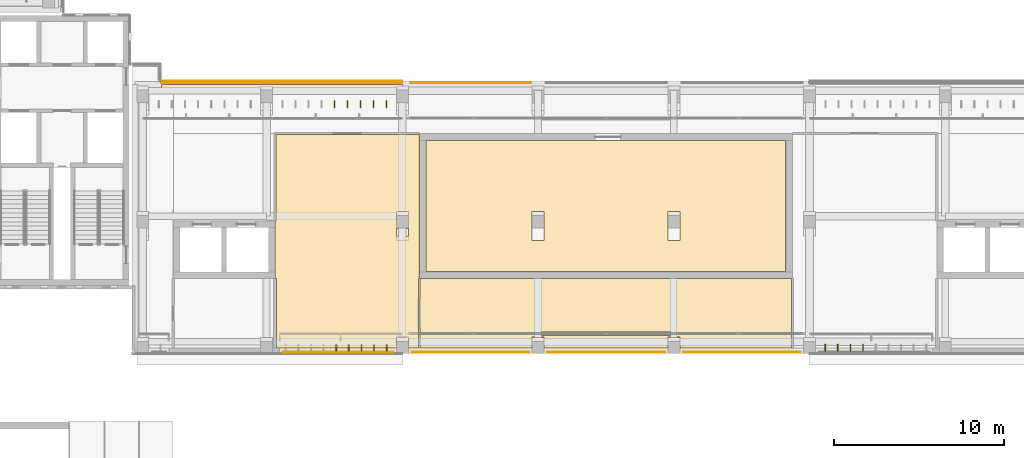
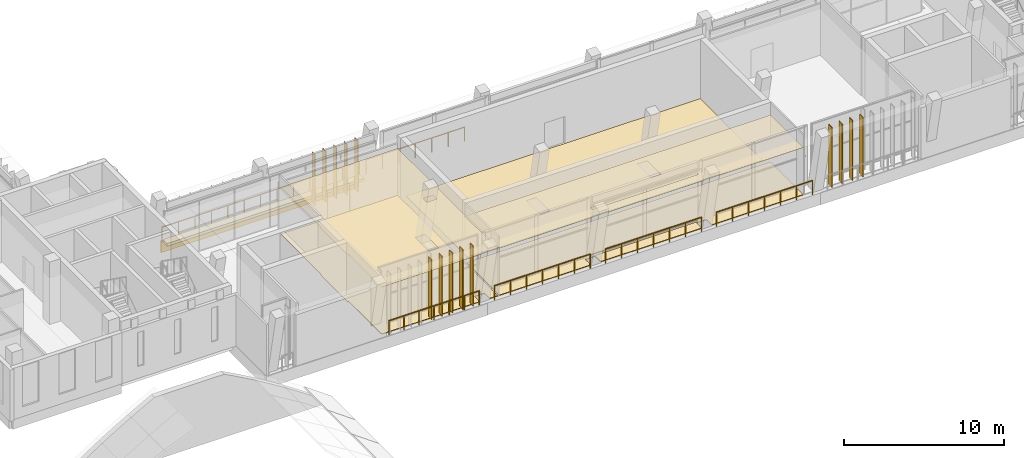
# One storey, part 55 of 74: 14 shading devices, 7 coverings, 6 railings.
"""IFC4 building model written with IfcOpenShell, lengths in metres."""

from ifc_helpers import new_model, si_unit, direction, frame, frame_2d, origin, origin_2d, place, context, subcontext, project, spatial, polyline, rectangle, circle, outline, extrude, material, layer, layer_set, type_object, element, save


model = new_model("IFC4")

# Units and contexts
model_context = context("Model", 3, precision=1e-05, world=origin(), true_north=direction((0.0, 1.0)))
body_context = subcontext(model_context, "Body", "Model", "MODEL_VIEW")
ifc_project = project(units=[si_unit("LENGTHUNIT", "METRE"), si_unit("AREAUNIT", "SQUARE_METRE"), si_unit("VOLUMEUNIT", "CUBIC_METRE"), si_unit("PLANEANGLEUNIT", "RADIAN"), si_unit("MASSUNIT", "GRAM", prefix="KILO")], contexts=[model_context])

# Site, building, storey
site_placement = place(None, origin())
site = spatial("IfcSite", under=ifc_project, at=site_placement, CompositionType="ELEMENT")
building_placement = place(site_placement, origin())
building = spatial("IfcBuilding", under=site, at=building_placement, Name="Lantern Court Media Centre", CompositionType="ELEMENT")
storey_placement = place(building_placement, frame((0.0, 0.0, 19.199951171875)))
storey = spatial("IfcBuildingStorey", under=building, at=storey_placement, Name="L04", CompositionType="ELEMENT", Elevation=19.199951171875)

# Coverings
ifc_material_1 = material(Name="Carpet")
ifc_layer_1 = layer(ifc_material_1, 0.050048828125)
ifc_layer_set_1 = layer_set([ifc_layer_1], Name="Carpet")
covering_type_1 = type_object("IfcCoveringType", Name="Carpet floor finish", PredefinedType="FLOORING", material=ifc_layer_set_1)
covering_1_placement = place(storey_placement, origin())
element("IfcCovering", 1, at=covering_1_placement, inside=storey, type_object=covering_type_1, Name="Library Stacks floor finish", PredefinedType="FLOORING", context=body_context, shape_type="SweptSolid", body=[
    extrude(outline(polyline([(41.405029296875, 56.544921875), (62.594970703125, 56.544921875), (62.594970703125, 48.804931640625), (41.405029296875, 48.804931640625), (41.405029296875, 56.544921875)]), holes=[polyline([(56.35009765625, 50.64501953125), (56.354736328125, 52.351806640625), (55.648193359375, 52.354736328125), (55.645263671875, 50.648193359375), (56.35009765625, 50.64501953125)]), polyline([(48.35009765625, 50.64501953125), (48.354736328125, 52.351806640625), (47.648193359375, 52.354736328125), (47.645263671875, 50.648193359375), (48.35009765625, 50.64501953125)])]), origin(), (0.0, 0.0, 1.0), 0.050048828125),
])
covering_2_placement = place(storey_placement, origin())
element("IfcCovering", 2, at=covering_2_placement, inside=storey, type_object=covering_type_1, Name="Reading Carrels floor finish", PredefinedType="FLOORING", context=body_context, shape_type="SweptSolid", body=[
    extrude(outline(polyline([(41.054931640625, 44.300048828125), (41.054931640625, 48.39501953125), (62.945068359375, 48.39501953125), (62.945068359375, 44.300048828125), (56.35498046875, 44.300048828125), (56.35009765625, 44.955078125), (55.646484375, 44.95361328125), (55.64501953125, 44.300048828125), (48.35498046875, 44.300048828125), (48.35009765625, 44.955078125), (47.646484375, 44.95361328125), (47.64501953125, 44.300048828125), (41.054931640625, 44.300048828125)]), holes=[polyline([(48.195068359375, 45.050048828125), (55.800048828125, 45.044921875), (55.804931640625, 45.25), (48.199951171875, 45.2548828125), (48.195068359375, 45.050048828125)])]), origin(), (0.0, 0.0, 1.0), 0.050048828125),
])
covering_3_placement = place(storey_placement, origin())
element("IfcCovering", 3, at=covering_3_placement, inside=storey, type_object=covering_type_1, Name="Digital Media Lab floor finish", PredefinedType="FLOORING", context=body_context, shape_type="SweptSolid", body=[
    extrude(outline(polyline([(39.64501953125, 44.300048828125), (32.5849609375, 44.304931640625), (32.5849609375, 48.39990234375), (32.5048828125, 48.405029296875), (32.5048828125, 51.794921875), (32.5673828125, 51.800048828125), (32.5673828125, 56.882568359375), (40.9951171875, 56.882568359375), (40.9951171875, 48.405029296875), (40.945068359375, 48.39990234375), (40.945068359375, 44.300048828125), (40.35498046875, 44.300048828125), (40.35009765625, 44.955078125), (39.646484375, 44.95361328125), (39.64501953125, 44.300048828125)]), holes=[polyline([(40.35009765625, 50.64501953125), (40.354736328125, 52.351806640625), (39.648193359375, 52.354736328125), (39.645263671875, 50.648193359375), (40.35009765625, 50.64501953125)])]), origin(), (0.0, 0.0, 1.0), 0.050048828125),
])

# Railings
ifc_material_2 = material(Name="Powder-coated steel", Category="steel")
railing_type_1 = type_object("IfcRailingType", Name="Floor edge guard 1100", PredefinedType="GUARDRAIL", material=ifc_material_2)
railing_1_placement = place(storey_placement, frame((39.470947265625, 44.06005859375, 0.0)))
element("IfcRailing", 4, at=railing_1_placement, inside=storey, type_object=railing_type_1, Name="L04 edge guard 125", PredefinedType="GUARDRAIL", context=body_context, shape_type="SweptSolid", body=[
    extrude(circle(Radius=0.02392578125, at=origin_2d()), frame((0.0, 0.0, 1.076171875), z_axis=(-1.0, 0.0, 0.0), x_axis=(0.0, -1.0, 0.0)), (0.0, 0.0, 1.0), 6.498046875),
    extrude(circle(Radius=0.02099609375, at=origin_2d()), origin(), (0.0, 0.0, 1.0), 1.052001953125),
    extrude(circle(Radius=0.02099609375, at=origin_2d()), frame((-1.0830078125, 0.0, 0.0)), (0.0, 0.0, 1.0), 1.052001953125),
    extrude(circle(Radius=0.02099609375, at=origin_2d()), frame((-2.166015625, 0.0, 0.0)), (0.0, 0.0, 1.0), 1.052001953125),
    extrude(circle(Radius=0.02099609375, at=origin_2d()), frame((-3.2490234375, 0.0, 0.0)), (0.0, 0.0, 1.0), 1.052001953125),
    extrude(circle(Radius=0.02099609375, at=origin_2d()), frame((-4.33203125, 0.0, 0.0)), (0.0, 0.0, 1.0), 1.052001953125),
    extrude(circle(Radius=0.02099609375, at=origin_2d()), frame((-5.4150390625, 0.0, 0.0)), (0.0, 0.0, 1.0), 1.052001953125),
    extrude(circle(Radius=0.02099609375, at=origin_2d()), frame((-6.498046875, 0.0, 0.0)), (0.0, 0.0, 1.0), 1.052001953125),
])
railing_2_placement = place(storey_placement, frame((40.485107421875, 59.93994140625, 0.0)))
element("IfcRailing", 5, at=railing_2_placement, inside=storey, type_object=railing_type_1, Name="L04 edge guard 127", PredefinedType="GUARDRAIL", context=body_context, shape_type="SweptSolid", body=[
    extrude(circle(Radius=0.02392578125, at=origin_2d()), frame((0.0, 0.0, 1.076171875), z_axis=(1.0, 0.0, 0.0), x_axis=(0.0, 1.0, 0.0)), (0.0, 0.0, 1.0), 7.097900390625),
    extrude(circle(Radius=0.02099609375, at=origin_2d()), origin(), (0.0, 0.0, 1.0), 1.052001953125),
    extrude(circle(Radius=0.02099609375, at=origin_2d()), frame((1.18310546875, 0.0, 0.0)), (0.0, 0.0, 1.0), 1.052001953125),
    extrude(circle(Radius=0.02099609375, at=origin_2d()), frame((2.365966796875, 0.0, 0.0)), (0.0, 0.0, 1.0), 1.052001953125),
    extrude(circle(Radius=0.02099609375, at=origin_2d()), frame((3.548828125, 0.0, 0.0)), (0.0, 0.0, 1.0), 1.052001953125),
    extrude(circle(Radius=0.02099609375, at=origin_2d()), frame((4.73193359375, 0.0, 0.0)), (0.0, 0.0, 1.0), 1.052001953125),
    extrude(circle(Radius=0.02099609375, at=origin_2d()), frame((5.9150390625, 0.0, 0.0)), (0.0, 0.0, 1.0), 1.052001953125),
    extrude(circle(Radius=0.02099609375, at=origin_2d()), frame((7.097900390625, 0.0, 0.0)), (0.0, 0.0, 1.0), 1.052001953125),
])
for number, where, name in (
    (6, (47.468994140625, 44.06005859375, 0.0), "L04 edge guard 128"),
    (7, (55.467041015625, 44.06005859375, 0.0), "L04 edge guard 131"),
):
    element("IfcRailing", number, at=place(storey_placement, frame(where)), inside=storey, type_object=railing_type_1, Name=name, PredefinedType="GUARDRAIL", context=body_context, shape_type="SweptSolid", body=[
        extrude(circle(Radius=0.02392578125, at=origin_2d()), frame((0.0, 0.0, 1.076171875), z_axis=(-1.0, 0.0, 0.0), x_axis=(0.0, -1.0, 0.0)), (0.0, 0.0, 1.0), 6.89794921875),
        extrude(circle(Radius=0.02099609375, at=origin_2d()), origin(), (0.0, 0.0, 1.0), 1.052001953125),
        extrude(circle(Radius=0.02099609375, at=origin_2d()), frame((-1.149658203125, 0.0, 0.0)), (0.0, 0.0, 1.0), 1.052001953125),
        extrude(circle(Radius=0.02099609375, at=origin_2d()), frame((-2.29931640625, 0.0, 0.0)), (0.0, 0.0, 1.0), 1.052001953125),
        extrude(circle(Radius=0.02099609375, at=origin_2d()), frame((-3.448974609375, 0.0, 0.0)), (0.0, 0.0, 1.0), 1.052001953125),
        extrude(circle(Radius=0.02099609375, at=origin_2d()), frame((-4.5986328125, 0.0, 0.0)), (0.0, 0.0, 1.0), 1.052001953125),
        extrude(circle(Radius=0.02099609375, at=origin_2d()), frame((-5.748291015625, 0.0, 0.0)), (0.0, 0.0, 1.0), 1.052001953125),
        extrude(circle(Radius=0.02099609375, at=origin_2d()), frame((-6.89794921875, 0.0, 0.0)), (0.0, 0.0, 1.0), 1.052001953125),
    ])
railing_3_placement = place(storey_placement, frame((63.465087890625, 44.06005859375, 0.0)))
element("IfcRailing", 8, at=railing_3_placement, inside=storey, type_object=railing_type_1, Name="L04 edge guard 134", PredefinedType="GUARDRAIL", context=body_context, shape_type="SweptSolid", body=[
    extrude(circle(Radius=0.02392578125, at=origin_2d()), frame((0.0, 0.0, 1.076171875), z_axis=(-1.0, 0.0, 0.0), x_axis=(0.0, -1.0, 0.0)), (0.0, 0.0, 1.0), 6.899169921875),
    extrude(circle(Radius=0.02099609375, at=origin_2d()), origin(), (0.0, 0.0, 1.0), 1.052001953125),
    extrude(circle(Radius=0.02099609375, at=origin_2d()), frame((-1.14990234375, 0.0, 0.0)), (0.0, 0.0, 1.0), 1.052001953125),
    extrude(circle(Radius=0.02099609375, at=origin_2d()), frame((-2.2998046875, 0.0, 0.0)), (0.0, 0.0, 1.0), 1.052001953125),
    extrude(circle(Radius=0.02099609375, at=origin_2d()), frame((-3.44970703125, 0.0, 0.0)), (0.0, 0.0, 1.0), 1.052001953125),
    extrude(circle(Radius=0.02099609375, at=origin_2d()), frame((-4.599365234375, 0.0, 0.0)), (0.0, 0.0, 1.0), 1.052001953125),
    extrude(circle(Radius=0.02099609375, at=origin_2d()), frame((-5.749267578125, 0.0, 0.0)), (0.0, 0.0, 1.0), 1.052001953125),
    extrude(circle(Radius=0.02099609375, at=origin_2d()), frame((-6.899169921875, 0.0, 0.0)), (0.0, 0.0, 1.0), 1.052001953125),
])

# Covering
ifc_material_3 = material(Name="White glass-fibre reinforced cement cladding", Category="concrete")
ifc_layer_2 = layer(ifc_material_3, 0.050048828125)
ifc_layer_set_2 = layer_set([ifc_layer_2], Name="White glass-fibre reinforced cement cladding")
covering_type_2 = type_object("IfcCoveringType", Name="Floor-edge band 50", PredefinedType="CLADDING", material=ifc_layer_set_2)
covering_4_placement = place(storey_placement, frame((25.75, 60.02490234375, -0.89990234375), z_axis=(0.0, 0.0, 1.0), x_axis=(1.0, 0.0, 0.0)))
element("IfcCovering", 9, at=covering_4_placement, inside=storey, type_object=covering_type_2, Name="Floor-edge band S inner L04", PredefinedType="CLADDING", context=body_context, shape_type="SweptSolid", body=[
    extrude(rectangle(XDim=14.25, YDim=0.050048828125, at=frame_2d((7.125, 0.0))), origin(), (0.0, 0.0, 1.0), 0.89990234375),
])

# Railing
ifc_material_4 = material(Name="Painted mild steel balustrade", Category="steel")
railing_type_2 = type_object("IfcRailingType", Name="Guard 1100 steel balustrade", PredefinedType="GUARDRAIL", material=ifc_material_4)
railing_4_placement = place(storey_placement, frame((25.800048828125, 59.949951171875, 0.0)))
element("IfcRailing", 10, at=railing_4_placement, inside=storey, type_object=railing_type_2, Name="Ledge guard S L04", PredefinedType="GUARDRAIL", context=body_context, shape_type="SweptSolid", body=[
    extrude(circle(Radius=0.02392578125, at=origin_2d()), frame((0.0, 0.0, 1.076171875), z_axis=(1.0, 0.0, 0.0), x_axis=(0.0, 1.0, 0.0)), (0.0, 0.0, 1.0), 14.199951171875),
    extrude(circle(Radius=0.02099609375, at=origin_2d()), origin(), (0.0, 0.0, 1.0), 1.052001953125),
    extrude(circle(Radius=0.02099609375, at=origin_2d()), frame((1.183349609375, 0.0, 0.0)), (0.0, 0.0, 1.0), 1.052001953125),
    extrude(circle(Radius=0.02099609375, at=origin_2d()), frame((2.36669921875, 0.0, 0.0)), (0.0, 0.0, 1.0), 1.052001953125),
    extrude(circle(Radius=0.02099609375, at=origin_2d()), frame((3.550048828125, 0.0, 0.0)), (0.0, 0.0, 1.0), 1.052001953125),
    extrude(circle(Radius=0.02099609375, at=origin_2d()), frame((4.7333984375, 0.0, 0.0)), (0.0, 0.0, 1.0), 1.052001953125),
    extrude(circle(Radius=0.02099609375, at=origin_2d()), frame((5.916748046875, 0.0, 0.0)), (0.0, 0.0, 1.0), 1.052001953125),
    extrude(circle(Radius=0.02099609375, at=origin_2d()), frame((7.10009765625, 0.0, 0.0)), (0.0, 0.0, 1.0), 1.052001953125),
    extrude(circle(Radius=0.02099609375, at=origin_2d()), frame((8.283203125, 0.0, 0.0)), (0.0, 0.0, 1.0), 1.052001953125),
    extrude(circle(Radius=0.02099609375, at=origin_2d()), frame((9.466552734375, 0.0, 0.0)), (0.0, 0.0, 1.0), 1.052001953125),
    extrude(circle(Radius=0.02099609375, at=origin_2d()), frame((10.64990234375, 0.0, 0.0)), (0.0, 0.0, 1.0), 1.052001953125),
    extrude(circle(Radius=0.02099609375, at=origin_2d()), frame((11.833251953125, 0.0, 0.0)), (0.0, 0.0, 1.0), 1.052001953125),
    extrude(circle(Radius=0.02099609375, at=origin_2d()), frame((13.0166015625, 0.0, 0.0)), (0.0, 0.0, 1.0), 1.052001953125),
    extrude(circle(Radius=0.02099609375, at=origin_2d()), frame((14.199951171875, 0.0, 0.0)), (0.0, 0.0, 1.0), 1.052001953125),
])

# Coverings
ifc_material_5 = material(Name="Planting substrate")
ifc_layer_3 = layer(ifc_material_5, 0.199951171875)
ifc_layer_set_3 = layer_set([ifc_layer_3], Name="Planting substrate")
covering_type_3 = type_object("IfcCoveringType", Name="Planted ledge build-up 200", PredefinedType="ROOFING", material=ifc_layer_set_3)
covering_5_placement = place(storey_placement, origin())
element("IfcCovering", 11, at=covering_5_placement, inside=storey, type_object=covering_type_3, Name="Planted ledge S L04", PredefinedType="ROOFING", context=body_context, shape_type="SweptSolid", body=[
    extrude(outline(polyline([(25.800048828125, 59.85009765625), (40.0, 59.85009765625), (40.0, 59.320068359375), (25.800048828125, 59.320068359375), (25.800048828125, 59.85009765625)])), origin(), (0.0, 0.0, 1.0), 0.199951171875),
])
ifc_material_6 = material(Name="Mineral fibre ceiling tile")
ifc_layer_4 = layer(ifc_material_6, 0.02001953125)
ifc_layer_set_4 = layer_set([ifc_layer_4], Name="Mineral fibre ceiling tile")
covering_type_4 = type_object("IfcCoveringType", Name="Suspended ceiling tile", PredefinedType="CEILING", material=ifc_layer_set_4)
covering_6_placement = place(storey_placement, frame((0.0, 0.0, 3.60009765625)))
element("IfcCovering", 12, at=covering_6_placement, inside=storey, type_object=covering_type_4, Name="Reading Carrels ceiling", PredefinedType="CEILING", context=body_context, shape_type="SweptSolid", body=[
    extrude(outline(polyline([(41.050537109375, 44.300048828125), (41.050537109375, 48.3994140625), (62.949462890625, 48.3994140625), (62.949462890625, 44.300048828125), (41.050537109375, 44.300048828125)]), holes=[polyline([(48.199462890625, 45.050048828125), (55.800048828125, 45.049560546875), (55.800537109375, 45.25), (48.199951171875, 45.25048828125), (48.199462890625, 45.050048828125)])]), origin(), (0.0, 0.0, 1.0), 0.02001953125),
])
covering_7_placement = place(storey_placement, frame((0.0, 0.0, 3.60009765625)))
element("IfcCovering", 13, at=covering_7_placement, inside=storey, type_object=covering_type_4, Name="Digital Media Lab ceiling", PredefinedType="CEILING", context=body_context, shape_type="SweptSolid", body=[
    extrude(outline(polyline([(40.949462890625, 44.300048828125), (32.58056640625, 44.300537109375), (32.58056640625, 48.39990234375), (32.50048828125, 48.400390625), (32.50048828125, 51.799560546875), (32.56298828125, 51.800048828125), (32.56298828125, 56.886962890625), (40.99951171875, 56.886962890625), (40.99951171875, 48.400390625), (40.949462890625, 48.39990234375), (40.949462890625, 44.300048828125)]), holes=[polyline([(40.3505859375, 51.35009765625), (39.649658203125, 51.350341796875), (39.649658203125, 50.897705078125), (40.350341796875, 50.8974609375), (40.3505859375, 51.35009765625)])]), origin(), (0.0, 0.0, 1.0), 0.02001953125),
])

# Shading devices
ifc_material_7 = material(Name="Bronze anodised aluminium louvre", Category="aluminium")
ifc_layer_5 = layer(ifc_material_7, 0.0400390625)
ifc_layer_set_5 = layer_set([ifc_layer_5], Name="Bronze anodised aluminium louvre")
shading_device_type_1 = type_object("IfcShadingDeviceType", Name="Vertical louvre 40x400 full storey", PredefinedType="USERDEFINED", material=ifc_layer_set_5)
for number, where, z_axis, x_axis, name in (
    (14, (36.10009765625, 44.320068359375, 0.0), (0.0, 0.0, 1.0), (1.0, 0.0, 0.0), "Vertical louvre S outer L04"),
    (15, (36.844482421875, 44.320068359375, 0.0), (0.0, 0.0, 1.0), (1.0, 0.0, 0.0), "Vertical louvre S outer L04"),
    (16, (37.5888671875, 44.320068359375, 0.0), (0.0, 0.0, 1.0), (1.0, 0.0, 0.0), "Vertical louvre S outer L04"),
    (17, (38.333251953125, 44.320068359375, 0.0), (0.0, 0.0, 1.0), (1.0, 0.0, 0.0), "Vertical louvre S outer L04"),
    (18, (39.077880859375, 44.320068359375, 0.0), (0.0, 0.0, 1.0), (1.0, 0.0, 0.0), "Vertical louvre S outer L04"),
    (19, (64.922119140625, 44.320068359375, 0.0), (0.0, 0.0, 1.0), (1.0, 0.0, 0.0), "Vertical louvre S outer L04"),
    (20, (65.666748046875, 44.320068359375, 0.0), (0.0, 0.0, 1.0), (1.0, 0.0, 0.0), "Vertical louvre S outer L04"),
    (21, (66.4111328125, 44.320068359375, 0.0), (0.0, 0.0, 1.0), (1.0, 0.0, 0.0), "Vertical louvre S outer L04"),
    (22, (67.155517578125, 44.320068359375, 0.0), (0.0, 0.0, 1.0), (1.0, 0.0, 0.0), "Vertical louvre S outer L04"),
):
    element("IfcShadingDevice", number, at=place(storey_placement, frame(where, z_axis=z_axis, x_axis=x_axis)), inside=storey, type_object=shading_device_type_1, Name=name, ObjectType="VERTICAL LOUVRE", PredefinedType="USERDEFINED", context=body_context, shape_type="SweptSolid", body=[
        extrude(rectangle(XDim=0.0400390625, YDim=0.39990234375, at=origin_2d()), origin(), (0.0, 0.0, 1.0), 4.580078125),
    ])
ifc_layer_6 = layer(ifc_material_7, 0.0400390625)
ifc_layer_set_6 = layer_set([ifc_layer_6], Name="Bronze anodised aluminium louvre")
shading_device_type_2 = type_object("IfcShadingDeviceType", Name="Vertical louvre 40x400 under beam", PredefinedType="USERDEFINED", material=ifc_layer_set_6)
for number, where, z_axis, x_axis, name in (
    (23, (36.0, 58.679931640625, 0.0), (0.0, 0.0, 1.0), (1.0, 0.0, 0.0), "Vertical louvre S inner L04"),
    (24, (36.7666015625, 58.679931640625, 0.0), (0.0, 0.0, 1.0), (1.0, 0.0, 0.0), "Vertical louvre S inner L04"),
    (25, (37.533447265625, 58.679931640625, 0.0), (0.0, 0.0, 1.0), (1.0, 0.0, 0.0), "Vertical louvre S inner L04"),
    (26, (38.300048828125, 58.679931640625, 0.0), (0.0, 0.0, 1.0), (1.0, 0.0, 0.0), "Vertical louvre S inner L04"),
    (27, (39.066650390625, 58.679931640625, 0.0), (0.0, 0.0, 1.0), (1.0, 0.0, 0.0), "Vertical louvre S inner L04"),
):
    element("IfcShadingDevice", number, at=place(storey_placement, frame(where, z_axis=z_axis, x_axis=x_axis)), inside=storey, type_object=shading_device_type_2, Name=name, ObjectType="VERTICAL LOUVRE", PredefinedType="USERDEFINED", context=body_context, shape_type="SweptSolid", body=[
        extrude(rectangle(XDim=0.0400390625, YDim=0.39990234375, at=origin_2d()), origin(), (0.0, 0.0, 1.0), 3.89990234375),
    ])

save(model, "model.ifc")
